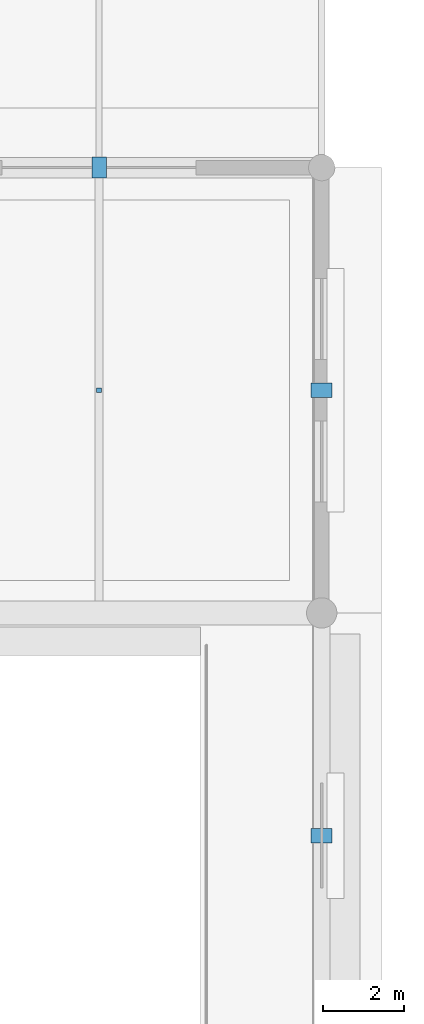
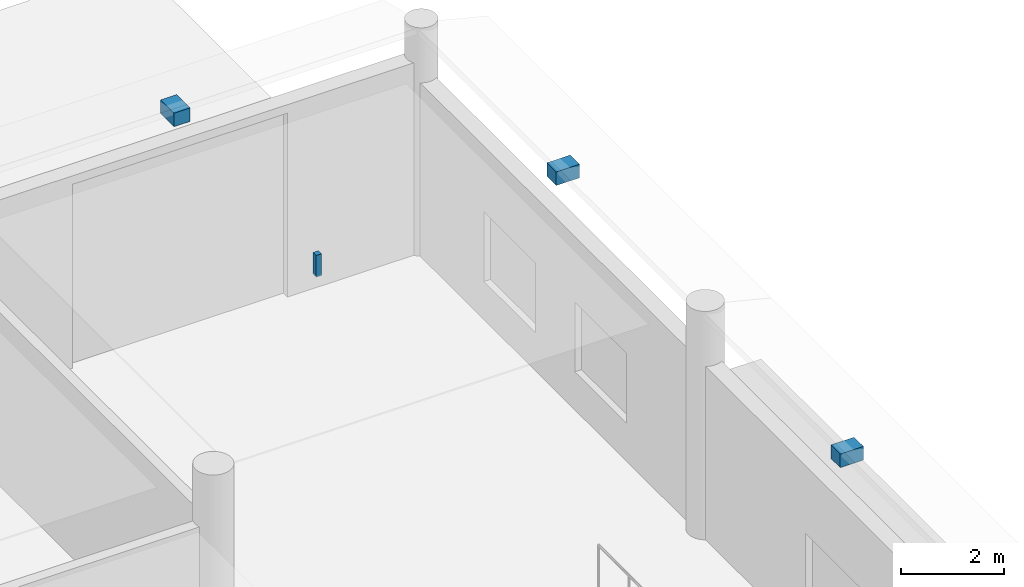
# One storey, part 91 of 120: 4 discrete accessories.
"""IFC4 building model written with IfcOpenShell, lengths in metres."""

from ifc_helpers import new_model, si_unit, direction, frame, origin, origin_2d, place, context, subcontext, project, spatial, rectangle, extrude, material, layer, layer_set, type_object, element, save


model = new_model("IFC4")

# Units and contexts
model_context = context("Model", 3, precision=1e-05, world=origin(), true_north=direction((0.0, 1.0)))
body_context = subcontext(model_context, "Body", "Model", "MODEL_VIEW")
ifc_project = project(units=[si_unit("LENGTHUNIT", "METRE"), si_unit("AREAUNIT", "SQUARE_METRE"), si_unit("VOLUMEUNIT", "CUBIC_METRE"), si_unit("PLANEANGLEUNIT", "RADIAN"), si_unit("MASSUNIT", "GRAM", prefix="KILO")], contexts=[model_context])

# Site, building, storey
site_placement = place(None, origin())
site = spatial("IfcSite", under=ifc_project, at=site_placement, CompositionType="ELEMENT")
building_placement = place(site_placement, origin())
building = spatial("IfcBuilding", under=site, at=building_placement, Name="Luwafu Chhajja Arena", CompositionType="ELEMENT")
storey_placement = place(building_placement, origin())
storey = spatial("IfcBuildingStorey", under=building, at=storey_placement, Name="L00", CompositionType="ELEMENT", Elevation=0.0)

# Discrete accessories
ifc_material = material(Name="Stainless steel bracket", Category="steel")
ifc_layer = layer(ifc_material, 0.179931640625, Name="Stainless steel bracket")
ifc_layer_set = layer_set([ifc_layer], Name="Stainless steel bracket")
discrete_accessory_type = type_object("IfcDiscreteAccessoryType", Name="Stainless Steel Facade Support Bracket", PredefinedType="BRACKET", material=ifc_layer_set)
for number, where, z_axis, x_axis, name in (
    (1, (198.0, 104.5, 4.97998046875), (0.0, 0.0, 1.0), (0.0, 1.0, 0.0), "L00 Chhajja Eave Support Bracket 0118"),
    (2, (192.5, 121.0, 4.97998046875), (0.0, 0.0, 1.0), (1.0, 0.0, 0.0), "L00 Chhajja Eave Support Bracket 0119"),
    (3, (198.0, 115.5, 4.97998046875), (0.0, 0.0, 1.0), (0.0, 1.0, 0.0), "L00 Chhajja Eave Support Bracket 0120"),
):
    element("IfcDiscreteAccessory", number, at=place(storey_placement, frame(where, z_axis=z_axis, x_axis=x_axis)), inside=storey, type_object=discrete_accessory_type, Name=name, PredefinedType="BRACKET", context=body_context, shape_type="SweptSolid", body=[
        extrude(rectangle(XDim=0.360107421875, YDim=0.52001953125, at=origin_2d()), origin(), (0.0, 0.0, 1.0), 0.320068359375),
    ])
discrete_accessory_placement = place(storey_placement, frame((192.5, 115.5, 4.6015625), z_axis=(0.0, 0.0, 1.0), x_axis=(1.0, 0.0, 0.0)))
element("IfcDiscreteAccessory", 4, at=discrete_accessory_placement, inside=storey, type_object=discrete_accessory_type, Name="L00 Ceiling Suspension Hanger 025", PredefinedType="BRACKET", context=body_context, shape_type="SweptSolid", body=[
    extrude(rectangle(XDim=0.1201171875, YDim=0.1201171875, at=origin_2d()), origin(), (0.0, 0.0, 1.0), 0.508544921875),
])

save(model, "model.ifc")
